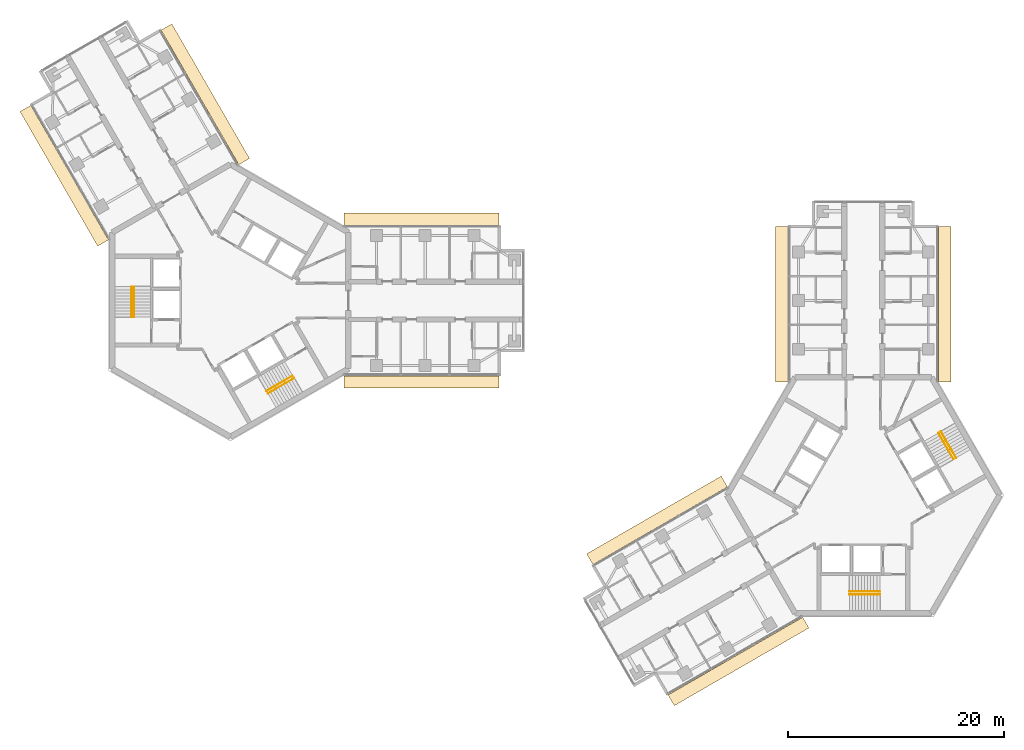
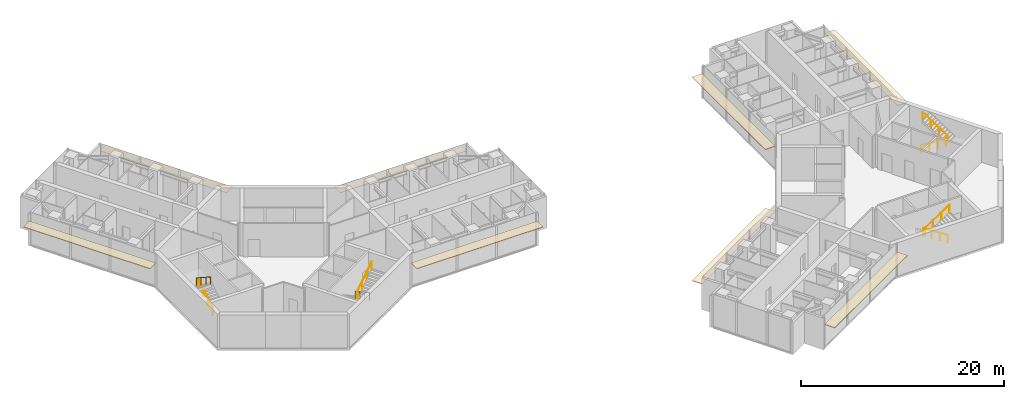
# One storey, part 18 of 18: 8 coverings, 8 railings.
"""IFC4 building model written with IfcOpenShell, lengths in metres."""

from ifc_helpers import new_model, si_unit, direction, frame, origin, origin_2d, place, context, subcontext, project, spatial, rectangle, circle, extrude, material, layer, layer_set, type_object, element, save


model = new_model("IFC4")

# Units and contexts
model_context = context("Model", 3, precision=1e-05, world=origin(), true_north=direction((0.0, 1.0)))
body_context = subcontext(model_context, "Body", "Model", "MODEL_VIEW")
ifc_project = project(units=[si_unit("LENGTHUNIT", "METRE"), si_unit("AREAUNIT", "SQUARE_METRE"), si_unit("VOLUMEUNIT", "CUBIC_METRE"), si_unit("PLANEANGLEUNIT", "RADIAN"), si_unit("MASSUNIT", "GRAM", prefix="KILO")], contexts=[model_context])

# Site, building, storey
site_placement = place(None, origin())
site = spatial("IfcSite", under=ifc_project, at=site_placement, CompositionType="ELEMENT")
building_placement = place(site_placement, origin())
building = spatial("IfcBuilding", under=site, at=building_placement, Name="Upepo Twin Towers", CompositionType="ELEMENT")
storey_placement = place(building_placement, frame((0.0, 0.0, 218.5)))
storey = spatial("IfcBuildingStorey", under=building, at=storey_placement, Name="L53", CompositionType="ELEMENT", Elevation=218.5)

# Coverings
ifc_material_1 = material(Name="Anodised aluminium, pale silver", Category="aluminium")
ifc_layer = layer(ifc_material_1, 0.080078125)
ifc_layer_set = layer_set([ifc_layer], Name="Brise-soleil blade 1150 pale aluminium")
covering_type = type_object("IfcCoveringType", Name="Brise-soleil blade 1150 pale aluminium", PredefinedType="USERDEFINED", material=ifc_layer_set)
for number, where, z_axis, x_axis, name in (
    (1, (17.66845703125, 7.527587890625, 2.909912109375), (0.0, 0.0, 1.0), (1.0, 0.0, 0.0), "T1 L53 wing A brise-soleil L"),
    (2, (17.66845703125, -7.527587890625, 2.909912109375), (0.0, 0.0, 1.0), (1.0, 0.0, 0.0), "T1 L53 wing A brise-soleil R"),
    (3, (-15.353271484375, 11.53759765625, 2.909912109375), (0.0, 0.0, 1.0), (-0.50000003023, 0.866025386331, 0.0), "T1 L53 wing B brise-soleil L"),
    (4, (-2.315185546875, 19.065185546875, 2.909912109375), (0.0, 0.0, 1.0), (-0.50000003023, 0.866025386331, 0.0), "T1 L53 wing B brise-soleil R"),
    (5, (50.972412109375, -0.33154296875, 2.909912109375), (0.0, 0.0, 1.0), (0.0, 1.0, 0.0), "T2 L53 wing A brise-soleil L"),
    (6, (66.027587890625, -0.33154296875, 2.909912109375), (0.0, 0.0, 1.0), (0.0, 1.0, 0.0), "T2 L53 wing A brise-soleil R"),
    (7, (46.96240234375, -33.353271484375, 2.909912109375), (0.0, 0.0, 1.0), (-0.866025386331, -0.50000003023, 0.0), "T2 L53 wing B brise-soleil L"),
    (8, (39.434814453125, -20.315185546875, 2.909912109375), (0.0, 0.0, 1.0), (-0.866025386331, -0.50000003023, 0.0), "T2 L53 wing B brise-soleil R"),
):
    element("IfcCovering", number, at=place(storey_placement, frame(where, z_axis=z_axis, x_axis=x_axis)), inside=storey, type_object=covering_type, Name=name, ObjectType="SUNSHADE", PredefinedType="USERDEFINED", context=body_context, shape_type="SweptSolid", body=[
        extrude(rectangle(XDim=14.36279296875, YDim=1.14990234375, at=origin_2d()), origin(), (0.0, 0.0, 1.0), 0.080078125),
    ])

# Railings
ifc_material_2 = material(Name="Stainless steel", Category="steel")
railing_type = type_object("IfcRailingType", Name="Stair handrail 900", PredefinedType="HANDRAIL", material=ifc_material_2)
railing_1_placement = place(storey_placement, frame((-8.89990234375, -1.52001953125, 0.181884765625)))
element("IfcRailing", 9, at=railing_1_placement, inside=storey, type_object=railing_type, Name="T1 stair S1 L53 handrail 1", PredefinedType="HANDRAIL", context=body_context, shape_type="SweptSolid", body=[
    extrude(circle(Radius=0.02392578125, at=origin_2d()), frame((0.0, 0.0, 0.8759765625), z_axis=(0.0, 0.838705829183, 0.544584733623), x_axis=(-1.0, 0.0, 0.0)), (0.0, 0.0, 1.0), 3.338623046875),
    extrude(circle(Radius=0.02099609375, at=origin_2d()), origin(), (0.0, 0.0, 1.0), 0.851806640625),
    extrude(circle(Radius=0.02099609375, at=origin_2d()), frame((0.0, 0.933349609375, 0.60595703125)), (0.0, 0.0, 1.0), 0.851806640625),
    extrude(circle(Radius=0.02099609375, at=origin_2d()), frame((0.0, 1.86669921875, 1.212158203125)), (0.0, 0.0, 1.0), 0.851806640625),
    extrude(circle(Radius=0.02099609375, at=origin_2d()), frame((0.0, 2.800048828125, 1.818115234375)), (0.0, 0.0, 1.0), 0.851806640625),
])
railing_2_placement = place(storey_placement, frame((-9.158447265625, 1.280029296875, 2.181884765625)))
element("IfcRailing", 10, at=railing_2_placement, inside=storey, type_object=railing_type, Name="T1 stair S1 L53 handrail 2", PredefinedType="HANDRAIL", context=body_context, shape_type="SweptSolid", body=[
    extrude(circle(Radius=0.02392578125, at=origin_2d()), frame((0.0, 0.0, 0.8759765625), z_axis=(0.0, -0.838705829183, 0.544584733623), x_axis=(1.0, 0.0, 0.0)), (0.0, 0.0, 1.0), 3.338623046875),
    extrude(circle(Radius=0.02099609375, at=origin_2d()), origin(), (0.0, 0.0, 1.0), 0.851806640625),
    extrude(circle(Radius=0.02099609375, at=origin_2d()), frame((0.0, -0.933349609375, 0.60595703125)), (0.0, 0.0, 1.0), 0.851806640625),
    extrude(circle(Radius=0.02099609375, at=origin_2d()), frame((0.0, -1.86669921875, 1.212158203125)), (0.0, 0.0, 1.0), 0.851806640625),
    extrude(circle(Radius=0.02099609375, at=origin_2d()), frame((0.0, -2.800048828125, 1.818115234375)), (0.0, 0.0, 1.0), 0.851806640625),
])
railing_3_placement = place(storey_placement, frame((5.766357421875, -6.947509765625, 0.181884765625)))
element("IfcRailing", 11, at=railing_3_placement, inside=storey, type_object=railing_type, Name="T1 stair S2 L53 handrail 1", PredefinedType="HANDRAIL", context=body_context, shape_type="SweptSolid", body=[
    extrude(circle(Radius=0.02392578125, at=origin_2d()), frame((0.0, 0.0, 0.8759765625), z_axis=(-0.726314030065, -0.419392968428, 0.544589265193), x_axis=(0.500049511043, -0.865996816683, 0.0)), (0.0, 0.0, 1.0), 3.338623046875),
    extrude(circle(Radius=0.02099609375, at=origin_2d()), origin(), (0.0, 0.0, 1.0), 0.851806640625),
    extrude(circle(Radius=0.02099609375, at=origin_2d()), frame((-0.808349609375, -0.466796875, 0.60595703125)), (0.0, 0.0, 1.0), 0.851806640625),
    extrude(circle(Radius=0.02099609375, at=origin_2d()), frame((-1.616455078125, -0.933349609375, 1.212158203125)), (0.0, 0.0, 1.0), 0.851806640625),
    extrude(circle(Radius=0.02099609375, at=origin_2d()), frame((-2.4248046875, -1.400146484375, 1.818115234375)), (0.0, 0.0, 1.0), 0.851806640625),
])
railing_4_placement = place(storey_placement, frame((3.470703125, -8.5712890625, 2.181884765625)))
element("IfcRailing", 12, at=railing_4_placement, inside=storey, type_object=railing_type, Name="T1 stair S2 L53 handrail 2", PredefinedType="HANDRAIL", context=body_context, shape_type="SweptSolid", body=[
    extrude(circle(Radius=0.02392578125, at=origin_2d()), frame((0.0, 0.0, 0.8759765625), z_axis=(0.726336304947, 0.419332699614, 0.544605966869), x_axis=(-0.49998411664, 0.866034573852, 0.0)), (0.0, 0.0, 1.0), 3.33837890625),
    extrude(circle(Radius=0.02099609375, at=origin_2d()), origin(), (0.0, 0.0, 1.0), 0.851806640625),
    extrude(circle(Radius=0.02099609375, at=origin_2d()), frame((0.808349609375, 0.466552734375, 0.60595703125)), (0.0, 0.0, 1.0), 0.851806640625),
    extrude(circle(Radius=0.02099609375, at=origin_2d()), frame((1.616455078125, 0.933349609375, 1.212158203125)), (0.0, 0.0, 1.0), 0.851806640625),
    extrude(circle(Radius=0.02099609375, at=origin_2d()), frame((2.4248046875, 1.39990234375, 1.818115234375)), (0.0, 0.0, 1.0), 0.851806640625),
])
railing_5_placement = place(storey_placement, frame((60.02001953125, -26.89990234375, 0.181884765625)))
element("IfcRailing", 13, at=railing_5_placement, inside=storey, type_object=railing_type, Name="T2 stair S1 L53 handrail 1", PredefinedType="HANDRAIL", context=body_context, shape_type="SweptSolid", body=[
    extrude(circle(Radius=0.02392578125, at=origin_2d()), frame((0.0, 0.0, 0.8759765625), z_axis=(-0.838705829183, 0.0, 0.544584733623), x_axis=(0.0, -1.0, 0.0)), (0.0, 0.0, 1.0), 3.338623046875),
    extrude(circle(Radius=0.02099609375, at=origin_2d()), origin(), (0.0, 0.0, 1.0), 0.851806640625),
    extrude(circle(Radius=0.02099609375, at=origin_2d()), frame((-0.933349609375, 0.0, 0.60595703125)), (0.0, 0.0, 1.0), 0.851806640625),
    extrude(circle(Radius=0.02099609375, at=origin_2d()), frame((-1.86669921875, 0.0, 1.212158203125)), (0.0, 0.0, 1.0), 0.851806640625),
    extrude(circle(Radius=0.02099609375, at=origin_2d()), frame((-2.800048828125, 0.0, 1.818115234375)), (0.0, 0.0, 1.0), 0.851806640625),
])
railing_6_placement = place(storey_placement, frame((57.219970703125, -27.158447265625, 2.181884765625)))
element("IfcRailing", 14, at=railing_6_placement, inside=storey, type_object=railing_type, Name="T2 stair S1 L53 handrail 2", PredefinedType="HANDRAIL", context=body_context, shape_type="SweptSolid", body=[
    extrude(circle(Radius=0.02392578125, at=origin_2d()), frame((0.0, 0.0, 0.8759765625), z_axis=(0.838705829183, 0.0, 0.544584733623), x_axis=(0.0, 1.0, 0.0)), (0.0, 0.0, 1.0), 3.338623046875),
    extrude(circle(Radius=0.02099609375, at=origin_2d()), origin(), (0.0, 0.0, 1.0), 0.851806640625),
    extrude(circle(Radius=0.02099609375, at=origin_2d()), frame((0.933349609375, 0.0, 0.60595703125)), (0.0, 0.0, 1.0), 0.851806640625),
    extrude(circle(Radius=0.02099609375, at=origin_2d()), frame((1.86669921875, 0.0, 1.212158203125)), (0.0, 0.0, 1.0), 0.851806640625),
    extrude(circle(Radius=0.02099609375, at=origin_2d()), frame((2.800048828125, 0.0, 1.818115234375)), (0.0, 0.0, 1.0), 0.851806640625),
])
railing_7_placement = place(storey_placement, frame((65.447509765625, -12.233642578125, 0.181884765625)))
element("IfcRailing", 15, at=railing_7_placement, inside=storey, type_object=railing_type, Name="T2 stair S2 L53 handrail 1", PredefinedType="HANDRAIL", context=body_context, shape_type="SweptSolid", body=[
    extrude(circle(Radius=0.02392578125, at=origin_2d()), frame((0.0, 0.0, 0.8759765625), z_axis=(0.419392968428, -0.726314030065, 0.544589265193), x_axis=(0.865996816683, 0.500049511043, 0.0)), (0.0, 0.0, 1.0), 3.338623046875),
    extrude(circle(Radius=0.02099609375, at=origin_2d()), origin(), (0.0, 0.0, 1.0), 0.851806640625),
    extrude(circle(Radius=0.02099609375, at=origin_2d()), frame((0.466796875, -0.808349609375, 0.60595703125)), (0.0, 0.0, 1.0), 0.851806640625),
    extrude(circle(Radius=0.02099609375, at=origin_2d()), frame((0.933349609375, -1.616455078125, 1.212158203125)), (0.0, 0.0, 1.0), 0.851806640625),
    extrude(circle(Radius=0.02099609375, at=origin_2d()), frame((1.400146484375, -2.4248046875, 1.818115234375)), (0.0, 0.0, 1.0), 0.851806640625),
])
railing_8_placement = place(storey_placement, frame((67.0712890625, -14.529296875, 2.181884765625)))
element("IfcRailing", 16, at=railing_8_placement, inside=storey, type_object=railing_type, Name="T2 stair S2 L53 handrail 2", PredefinedType="HANDRAIL", context=body_context, shape_type="SweptSolid", body=[
    extrude(circle(Radius=0.02392578125, at=origin_2d()), frame((0.0, 0.0, 0.8759765625), z_axis=(-0.419332699614, 0.726336304947, 0.544605966869), x_axis=(-0.866034573852, -0.49998411664, 0.0)), (0.0, 0.0, 1.0), 3.33837890625),
    extrude(circle(Radius=0.02099609375, at=origin_2d()), origin(), (0.0, 0.0, 1.0), 0.851806640625),
    extrude(circle(Radius=0.02099609375, at=origin_2d()), frame((-0.466552734375, 0.808349609375, 0.60595703125)), (0.0, 0.0, 1.0), 0.851806640625),
    extrude(circle(Radius=0.02099609375, at=origin_2d()), frame((-0.933349609375, 1.616455078125, 1.212158203125)), (0.0, 0.0, 1.0), 0.851806640625),
    extrude(circle(Radius=0.02099609375, at=origin_2d()), frame((-1.39990234375, 2.4248046875, 1.818115234375)), (0.0, 0.0, 1.0), 0.851806640625),
])

save(model, "model.ifc")
